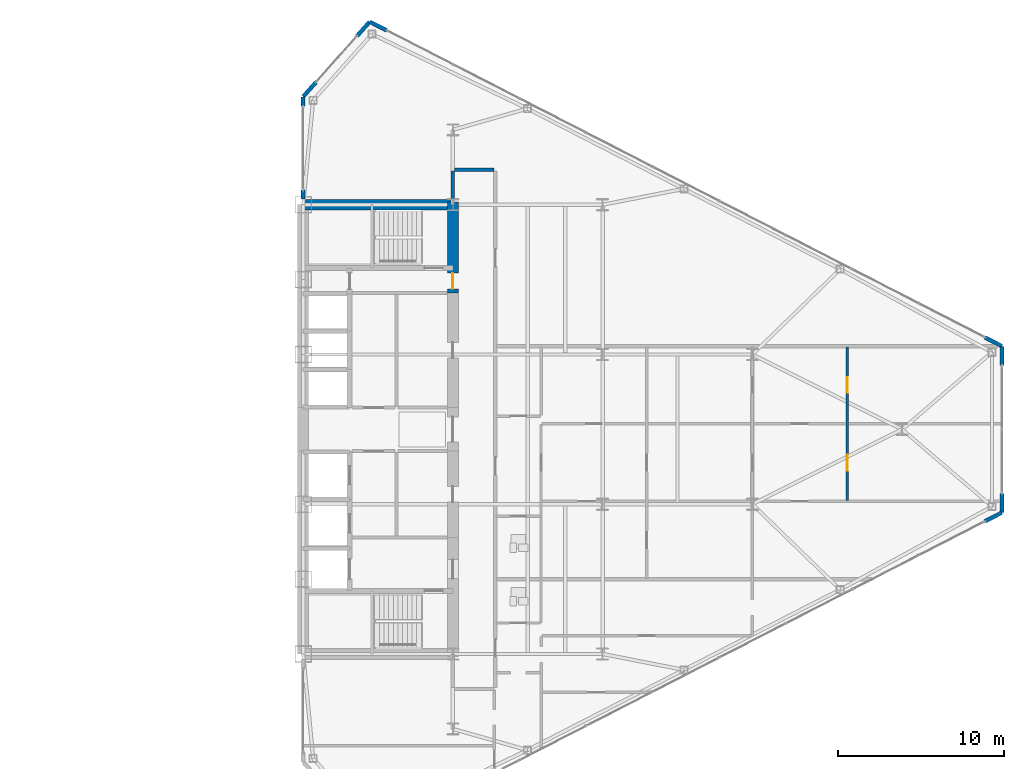
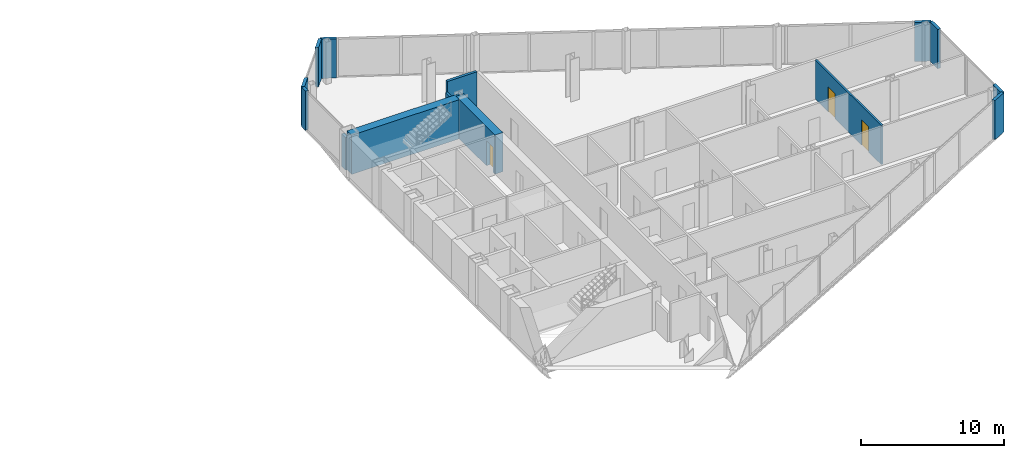
# One storey, part 20 of 23: 14 walls, 3 doors, 3 openings.
"""IFC4 building model written with IfcOpenShell, lengths in metres."""

from ifc_helpers import new_model, si_unit, direction, frame, frame_2d, origin, place, context, subcontext, project, spatial, rectangle, extrude, source, transform, mapped, material, layer, layer_set, type_object, type_shapes, element, fill, save


model = new_model("IFC4")

# Units and contexts
model_context = context("Model", 3, precision=1e-05, world=origin(), true_north=direction((0.0, 1.0)))
body_context = subcontext(model_context, "Body", "Model", "MODEL_VIEW")
ifc_project = project(units=[si_unit("LENGTHUNIT", "METRE"), si_unit("AREAUNIT", "SQUARE_METRE"), si_unit("VOLUMEUNIT", "CUBIC_METRE"), si_unit("PLANEANGLEUNIT", "RADIAN"), si_unit("MASSUNIT", "GRAM", prefix="KILO")], contexts=[model_context])

# Site, building, storey
site_placement = place(None, origin())
site = spatial("IfcSite", under=ifc_project, at=site_placement, CompositionType="ELEMENT")
building_placement = place(site_placement, origin())
building = spatial("IfcBuilding", under=site, at=building_placement, Name="Seokmaru Belvedere", CompositionType="ELEMENT")
storey_placement = place(building_placement, frame((0.0, 0.0, 132.0)))
storey = spatial("IfcBuildingStorey", under=building, at=storey_placement, Name="L35", CompositionType="ELEMENT", Elevation=132.0)

# Wall, openings, doors
ifc_material_1 = material(Name="Fire-Rated Gypsum Shaftwall")
ifc_layer_1 = layer(ifc_material_1, 0.14990234375)
ifc_layer_set_1 = layer_set([ifc_layer_1], Name="Fire-Rated Gypsum Shaftwall")
wall_type_1 = type_object("IfcWallType", Name="Apartment Fire-Acoustic Room Partition 150", PredefinedType="PARTITIONING", material=ifc_layer_set_1)
wall_1_placement = place(storey_placement, frame((60.199951171875, -4.282958984375, 0.0), z_axis=(0.0, 0.0, 1.0), x_axis=(0.0, 1.0, 0.0)))
wall_1 = element("IfcWall", 1, at=wall_1_placement, inside=storey, type_object=wall_type_1, Name="L35 Interior Partition 038", PredefinedType="PARTITIONING", context=body_context, shape_type="SweptSolid", body=[
    extrude(rectangle(XDim=9.23291015625, YDim=0.14990234375, at=frame_2d((4.616455078125, 0.0))), origin(), (0.0, 0.0, 1.0), 3.340087890625),
])
opening_1_placement = place(wall_1_placement, frame((1.80810546875, 0.0, 0.0)))
opening_1 = element("IfcOpeningElement", 2, at=opening_1_placement, cuts=wall_1, Name="Opening D05", PredefinedType="OPENING", context=body_context, shape_type="SweptSolid", body=[
    extrude(rectangle(XDim=0.949951171875, YDim=2.14990234375, at=frame_2d((0.47509765625, 1.074951171875))), frame((0.0, 0.0849609375, 0.0), z_axis=(0.0, -1.0, 0.0), x_axis=(1.0, 0.0, 0.0)), (0.0, 0.0, 1.0), 0.169921875),
])
opening_2_placement = place(wall_1_placement, frame((6.474609375, 0.0, 0.0)))
opening_2 = element("IfcOpeningElement", 3, at=opening_2_placement, cuts=wall_1, Name="Opening D05", PredefinedType="OPENING", context=body_context, shape_type="SweptSolid", body=[
    extrude(rectangle(XDim=0.949951171875, YDim=2.14990234375, at=frame_2d((0.47509765625, 1.074951171875))), frame((0.0, 0.0849609375, 0.0), z_axis=(0.0, -1.0, 0.0), x_axis=(1.0, 0.0, 0.0)), (0.0, 0.0, 1.0), 0.169921875),
])
ifc_material_2 = material(Name="Engineered White Oak Timber", Category="wood")
door_type_1 = type_object("IfcDoorType", Name="Apartment Interior Fire-Rated Oak Door 950x2150", OperationType="NOTDEFINED", PredefinedType="DOOR", material=ifc_material_2)
shared_shape_1 = source(origin(), body_context, "Body", "SweptSolid", [
    extrude(rectangle(XDim=0.949951171875, YDim=2.14990234375, at=frame_2d((0.47509765625, 1.074951171875))), frame((0.0, 0.02490234375, 0.0), z_axis=(0.0, -1.0, 0.0), x_axis=(1.0, 0.0, 0.0)), (0.0, 0.0, 1.0), 0.050048828125),
])
type_shapes(door_type_1, [shared_shape_1])
door_1_placement = place(opening_1_placement, origin())
door_1 = element("IfcDoor", 4, at=door_1_placement, inside=storey, type_object=door_type_1, Name="L35 Interior Door 033", OperationType="SINGLE_SWING_LEFT", OverallHeight=2.14990234375, OverallWidth=0.949951171875, PredefinedType="DOOR", context=body_context, shape_type="MappedRepresentation", body=[
    mapped(shared_shape_1, transform((0.0, 0.0, 0.0), scale=1.0)),
])
fill(opening_1, door_1)
door_2_placement = place(opening_2_placement, origin())
door_2 = element("IfcDoor", 5, at=door_2_placement, inside=storey, type_object=door_type_1, Name="L35 Interior Door 035", OperationType="SINGLE_SWING_LEFT", OverallHeight=2.14990234375, OverallWidth=0.949951171875, PredefinedType="DOOR", context=body_context, shape_type="MappedRepresentation", body=[
    mapped(shared_shape_1, transform((0.0, 0.0, 0.0), scale=1.0)),
])
fill(opening_2, door_2)

# Walls
ifc_layer_2 = layer(ifc_material_1, 0.199951171875)
ifc_layer_set_2 = layer_set([ifc_layer_2], Name="Fire-Rated Gypsum Shaftwall")
wall_type_2 = type_object("IfcWallType", Name="Inter-Tenancy Fire Compartment Partition 200", PredefinedType="PARTITIONING", material=ifc_layer_set_2)
wall_2_placement = place(storey_placement, frame((36.5849609375, 15.60009765625, 0.0), z_axis=(0.0, 0.0, 1.0), x_axis=(1.0, 0.0, 0.0)))
element("IfcWall", 6, at=wall_2_placement, inside=storey, type_object=wall_type_2, Name="L35 Interior Partition 021", PredefinedType="PARTITIONING", context=body_context, shape_type="SweptSolid", body=[
    extrude(rectangle(XDim=2.380126953125, YDim=0.199951171875, at=frame_2d((1.18994140625, 0.0))), origin(), (0.0, 0.0, 1.0), 3.340087890625),
])
wall_3_placement = place(storey_placement, frame((36.5, 13.830078125, 0.0), z_axis=(0.0, 0.0, 1.0), x_axis=(0.0, 1.0, 0.0)))
element("IfcWall", 7, at=wall_3_placement, inside=storey, type_object=wall_type_2, Name="L35 Interior Partition 030", PredefinedType="PARTITIONING", context=body_context, shape_type="SweptSolid", body=[
    extrude(rectangle(XDim=1.684814453125, YDim=0.199951171875, at=frame_2d((0.84228515625, 0.0))), origin(), (0.0, 0.0, 1.0), 2.43994140625),
])
ifc_material_3 = material(Name="Concrete C60 (60 MPa)", Category="concrete")
ifc_layer_3 = layer(ifc_material_3, 0.64990234375)
ifc_layer_set_3 = layer_set([ifc_layer_3], Name="Concrete C60 (60 MPa)")
wall_type_3 = type_object("IfcWallType", Name="Mid-Low Reinforced Concrete Core Wall 650", PredefinedType="SHEAR", material=ifc_layer_set_3)
wall_4_placement = place(storey_placement, frame((27.5, 13.5, 0.0), z_axis=(0.0, 0.0, 1.0), x_axis=(1.0, 0.0, 0.0)))
element("IfcWall", 8, at=wall_4_placement, inside=storey, type_object=wall_type_3, Name="L35 East North Core Wall", PredefinedType="SHEAR", context=body_context, shape_type="SweptSolid", body=[
    extrude(rectangle(XDim=9.0, YDim=0.64990234375, at=frame_2d((4.5, 0.0))), origin(), (0.0, 0.0, 1.0), 3.340087890625),
])

# Wall, opening, door
wall_5_placement = place(storey_placement, frame((36.5, 8.199951171875, 0.0), z_axis=(0.0, 0.0, 1.0), x_axis=(0.0, 1.0, 0.0)))
wall_5 = element("IfcWall", 9, at=wall_5_placement, inside=storey, type_object=wall_type_3, Name="L35 East West Core Wall VST", PredefinedType="SHEAR", context=body_context, shape_type="SweptSolid", body=[
    extrude(rectangle(XDim=5.449951171875, YDim=0.64990234375, at=frame_2d((2.72509765625, 0.0))), origin(), (0.0, 0.0, 1.0), 3.340087890625),
])
opening_3_placement = place(wall_5_placement, frame((0.2451171875, 0.0, 0.0)))
opening_3 = element("IfcOpeningElement", 10, at=opening_3_placement, cuts=wall_5, Name="Opening D04", PredefinedType="OPENING", context=body_context, shape_type="SweptSolid", body=[
    extrude(rectangle(XDim=0.949951171875, YDim=2.14990234375, at=frame_2d((0.47509765625, 1.074951171875))), frame((0.0, 0.3349609375, 0.0), z_axis=(0.0, -1.0, 0.0), x_axis=(1.0, 0.0, 0.0)), (0.0, 0.0, 1.0), 0.669921875),
])
ifc_material_4 = material(Name="Fire-Rated Steel Leaf", Category="steel")
door_type_2 = type_object("IfcDoorType", Name="Core Service Room Fire Door 950x2150", OperationType="NOTDEFINED", PredefinedType="DOOR", material=ifc_material_4)
shared_shape_2 = source(origin(), body_context, "Body", "SweptSolid", [
    extrude(rectangle(XDim=0.949951171875, YDim=2.14990234375, at=frame_2d((0.47509765625, 1.074951171875))), frame((0.0, 0.02490234375, 0.0), z_axis=(0.0, -1.0, 0.0), x_axis=(1.0, 0.0, 0.0)), (0.0, 0.0, 1.0), 0.050048828125),
])
type_shapes(door_type_2, [shared_shape_2])
door_3_placement = place(opening_3_placement, origin())
door_3 = element("IfcDoor", 11, at=door_3_placement, inside=storey, type_object=door_type_2, Name="L35 East Smokeproof Vestibule Door", OperationType="SINGLE_SWING_LEFT", OverallHeight=2.14990234375, OverallWidth=0.949951171875, PredefinedType="DOOR", context=body_context, shape_type="MappedRepresentation", body=[
    mapped(shared_shape_2, transform((0.0, 0.0, 0.0), scale=1.0)),
])
fill(opening_3, door_3)

# Walls
ifc_material_5 = material(Name="Anodised Bronze Aluminium", Category="aluminium")
ifc_layer_4 = layer(ifc_material_5, 0.239990234375)
ifc_layer_set_4 = layer_set([ifc_layer_4], Name="Anodised Bronze Aluminium")
wall_type_4 = type_object("IfcWallType", Name="Tower Corner Spandrel Closure Wall 240", PredefinedType="SOLIDWALL", material=ifc_layer_set_4)
wall_6_placement = place(storey_placement, frame((68.476806640625, -5.52490234375, 0.0), z_axis=(0.0, 0.0, 1.0), x_axis=(0.889797395748, 0.456355776255, 0.0)))
element("IfcWall", 12, at=wall_6_placement, inside=storey, type_object=wall_type_4, Name="L35 E Corner Closure Pier 1B", PredefinedType="SOLIDWALL", context=body_context, shape_type="SweptSolid", body=[
    extrude(rectangle(XDim=1.14013671875, YDim=0.239990234375, at=frame_2d((0.570068359375, 0.0))), origin(), (0.0, 0.0, 1.0), 3.340087890625),
])
for number, where, z_axis, x_axis, name in (
    (13, (69.5, -4.989990234375, 0.0), (0.0, 0.0, 1.0), (0.0, 1.0, 0.0), "L35 E Corner Closure Pier 2A"),
    (14, (69.5, 3.85009765625, 0.0), (0.0, 0.0, 1.0), (0.0, 1.0, 0.0), "L35 E Corner Closure Pier 2B"),
):
    element("IfcWall", number, at=place(storey_placement, frame(where, z_axis=z_axis, x_axis=x_axis)), inside=storey, type_object=wall_type_4, Name=name, PredefinedType="SOLIDWALL", context=body_context, shape_type="SweptSolid", body=[
        extrude(rectangle(XDim=1.139892578125, YDim=0.239990234375, at=frame_2d((0.56982421875, 0.0))), origin(), (0.0, 0.0, 1.0), 3.340087890625),
    ])
for number, where, z_axis, x_axis, name in (
    (15, (69.4912109375, 5.004638671875, 0.0), (0.0, 0.0, 1.0), (-0.889797395748, 0.456355776255, 0.0), "L35 E Corner Closure Pier 3A"),
    (16, (32.523193359375, 23.97509765625, 0.0), (0.0, 0.0, 1.0), (-0.889797395748, 0.456355776255, 0.0), "L35 E Corner Closure Pier 3B"),
):
    element("IfcWall", number, at=place(storey_placement, frame(where, z_axis=z_axis, x_axis=x_axis)), inside=storey, type_object=wall_type_4, Name=name, PredefinedType="SOLIDWALL", context=body_context, shape_type="SweptSolid", body=[
        extrude(rectangle(XDim=1.14013671875, YDim=0.239990234375, at=frame_2d((0.570068359375, 0.0))), origin(), (0.0, 0.0, 1.0), 3.340087890625),
    ])
for number, where, z_axis, x_axis, name in (
    (17, (31.493408203125, 24.492431640625, 0.0), (0.0, 0.0, 1.0), (-0.664337252513, -0.747432950119, 0.0), "L35 E Corner Closure Pier 4A"),
    (18, (28.263916015625, 20.859619140625, 0.0), (0.0, 0.0, 1.0), (-0.664337252513, -0.747432950119, 0.0), "L35 E Corner Closure Pier 4B"),
):
    element("IfcWall", number, at=place(storey_placement, frame(where, z_axis=z_axis, x_axis=x_axis)), inside=storey, type_object=wall_type_4, Name=name, PredefinedType="SOLIDWALL", context=body_context, shape_type="SweptSolid", body=[
        extrude(rectangle(XDim=1.139892578125, YDim=0.239990234375, at=frame_2d((0.56982421875, 0.0))), origin(), (0.0, 0.0, 1.0), 3.340087890625),
    ])
wall_7_placement = place(storey_placement, frame((27.5, 13.830078125, 0.0), z_axis=(0.0, 0.0, 1.0), x_axis=(0.0, 1.0, 0.0)))
element("IfcWall", 19, at=wall_7_placement, inside=storey, type_object=wall_type_4, Name="L35 E Spine Closure Pier 2A", PredefinedType="SOLIDWALL", context=body_context, shape_type="SweptSolid", body=[
    extrude(rectangle(XDim=0.5498046875, YDim=0.239990234375, at=frame_2d((0.27490234375, 0.0))), origin(), (0.0, 0.0, 1.0), 2.7900390625),
])
wall_8_placement = place(storey_placement, frame((27.5, 19.429931640625, 0.0), z_axis=(0.0, 0.0, 1.0), x_axis=(0.0, 1.0, 0.0)))
element("IfcWall", 20, at=wall_8_placement, inside=storey, type_object=wall_type_4, Name="L35 E Spine Closure Pier 2B", PredefinedType="SOLIDWALL", context=body_context, shape_type="SweptSolid", body=[
    extrude(rectangle(XDim=0.550048828125, YDim=0.239990234375, at=frame_2d((0.27490234375, 0.0))), origin(), (0.0, 0.0, 1.0), 3.340087890625),
])

save(model, "model.ifc")
